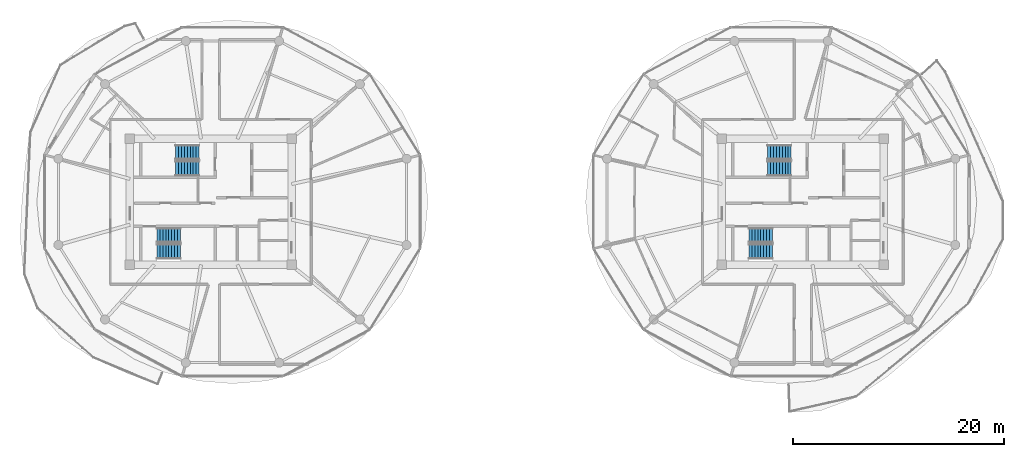
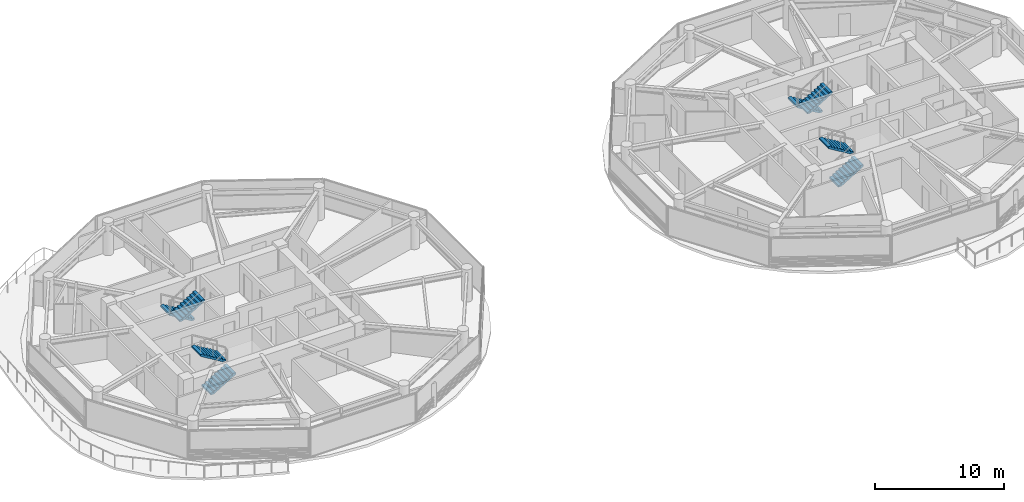
# One storey, part 18 of 22: 8 stair flights, 4 elements without a shape of their own.
"""IFC4 building model written with IfcOpenShell, lengths in metres."""

from ifc_helpers import new_model, si_unit, direction, frame, origin, place, context, subcontext, project, spatial, polyline, outline, extrude, material, type_object, element, aggregate, save


model = new_model("IFC4")

# Units and contexts
model_context = context("Model", 3, precision=1e-05, world=origin(), true_north=direction((0.0, 1.0)))
body_context = subcontext(model_context, "Body", "Model", "MODEL_VIEW")
ifc_project = project(units=[si_unit("LENGTHUNIT", "METRE"), si_unit("AREAUNIT", "SQUARE_METRE"), si_unit("VOLUMEUNIT", "CUBIC_METRE"), si_unit("PLANEANGLEUNIT", "RADIAN"), si_unit("MASSUNIT", "GRAM", prefix="KILO")], contexts=[model_context])

# Site, building, storey
site_placement = place(None, origin())
site = spatial("IfcSite", under=ifc_project, at=site_placement, CompositionType="ELEMENT")
building_placement = place(site_placement, origin())
building = spatial("IfcBuilding", under=site, at=building_placement, Name="Norrkilde Senior Care Towers", CompositionType="ELEMENT")
storey_placement = place(building_placement, frame((0.0, 0.0, 96.25)))
storey = spatial("IfcBuildingStorey", under=building, at=storey_placement, Name="L29", CompositionType="ELEMENT", Elevation=96.25)

# Stair, stair flights
ifc_material = material(Name="Concrete C45/55", Category="concrete")
stair_type = type_object("IfcStairType", Name="Core Protected Dogleg Stair Typical 3050", PredefinedType="HALF_TURN_STAIR", material=ifc_material)
stair_1_placement = place(storey_placement, origin())
stair_1 = element("IfcStair", 1, at=stair_1_placement, inside=storey, type_object=stair_type, Name="L29 Protected Core Stair W1", PredefinedType="HALF_TURN_STAIR")
stair_flight_type = type_object("IfcStairFlightType", Name="Core Protected Dogleg Stair Typical 3050 Flight", PredefinedType="STRAIGHT", material=ifc_material)
stair_flight_1_placement = place(storey_placement, frame((-29.10009765625, 4.699951171875, 0.0), z_axis=(0.0, 0.0, 1.0), x_axis=(-1.0, 0.0, 0.0)))
stair_flight_1 = element("IfcStairFlight", 2, at=stair_flight_1_placement, type_object=stair_flight_type, Name="ST-W1 flight 1", NumberOfRisers=9, NumberOfTreads=8, PredefinedType="STRAIGHT", RiserHeight=0.169444444, TreadLength=0.28, context=body_context, shape_type="SweptSolid", body=[
    extrude(outline(polyline([(0.0, 0.0), (0.0, 0.16943359375), (0.280029296875, 0.16943359375), (0.280029296875, 0.3388671875), (0.56005859375, 0.3388671875), (0.56005859375, 0.50830078125), (0.840087890625, 0.50830078125), (0.840087890625, 0.677734375), (1.1201171875, 0.677734375), (1.1201171875, 0.84716796875), (1.39990234375, 0.84716796875), (1.39990234375, 1.0166015625), (1.679931640625, 1.0166015625), (1.679931640625, 1.18603515625), (1.9599609375, 1.18603515625), (1.9599609375, 1.35546875), (2.239990234375, 1.35546875), (2.239990234375, 1.52490234375), (2.239990234375, 1.180419921875), (0.28955078125, 0.0), (0.0, 0.0)])), frame((0.0, 0.699951171875, 0.0), z_axis=(0.0, -1.0, 0.0), x_axis=(1.0, 0.0, 0.0)), (0.0, 0.0, 1.0), 1.39990234375),
])
stair_flight_2_placement = place(storey_placement, frame((-31.340087890625, 3.14990234375, 1.52490234375), z_axis=(0.0, 0.0, 1.0), x_axis=(1.0, 0.0, 0.0)))
stair_flight_2 = element("IfcStairFlight", 3, at=stair_flight_2_placement, type_object=stair_flight_type, Name="ST-W1 flight 2", NumberOfRisers=9, NumberOfTreads=8, PredefinedType="STRAIGHT", RiserHeight=0.169444444, TreadLength=0.28, context=body_context, shape_type="SweptSolid", body=[
    extrude(outline(polyline([(0.0, 0.0), (0.0, 0.16943359375), (0.280029296875, 0.16943359375), (0.280029296875, 0.3388671875), (0.56005859375, 0.3388671875), (0.56005859375, 0.50830078125), (0.840087890625, 0.50830078125), (0.840087890625, 0.677734375), (1.1201171875, 0.677734375), (1.1201171875, 0.84716796875), (1.39990234375, 0.84716796875), (1.39990234375, 1.0166015625), (1.679931640625, 1.0166015625), (1.679931640625, 1.18603515625), (1.9599609375, 1.18603515625), (1.9599609375, 1.35546875), (2.239990234375, 1.35546875), (2.239990234375, 1.52490234375), (2.239990234375, 1.180419921875), (0.28955078125, 0.0), (0.0, 0.0)])), frame((0.0, 0.699951171875, 0.0), z_axis=(0.0, -1.0, 0.0), x_axis=(1.0, 0.0, 0.0)), (0.0, 0.0, 1.0), 1.39990234375),
])
aggregate(stair_1, [stair_flight_1, stair_flight_2])

stair_2_placement = place(storey_placement, origin())
stair_2 = element("IfcStair", 4, at=stair_2_placement, inside=storey, type_object=stair_type, Name="L29 Protected Core Stair W2", PredefinedType="HALF_TURN_STAIR")
stair_flight_3_placement = place(storey_placement, frame((-33.10009765625, -4.699951171875, 0.0), z_axis=(0.0, 0.0, 1.0), x_axis=(1.0, 0.0, 0.0)))
stair_flight_3 = element("IfcStairFlight", 5, at=stair_flight_3_placement, type_object=stair_flight_type, Name="ST-W2 flight 1", NumberOfRisers=9, NumberOfTreads=8, PredefinedType="STRAIGHT", RiserHeight=0.169444444, TreadLength=0.28, context=body_context, shape_type="SweptSolid", body=[
    extrude(outline(polyline([(0.0, 0.0), (0.0, 0.16943359375), (0.280029296875, 0.16943359375), (0.280029296875, 0.3388671875), (0.56005859375, 0.3388671875), (0.56005859375, 0.50830078125), (0.840087890625, 0.50830078125), (0.840087890625, 0.677734375), (1.1201171875, 0.677734375), (1.1201171875, 0.84716796875), (1.39990234375, 0.84716796875), (1.39990234375, 1.0166015625), (1.679931640625, 1.0166015625), (1.679931640625, 1.18603515625), (1.9599609375, 1.18603515625), (1.9599609375, 1.35546875), (2.239990234375, 1.35546875), (2.239990234375, 1.52490234375), (2.239990234375, 1.180419921875), (0.28955078125, 0.0), (0.0, 0.0)])), frame((0.0, 0.699951171875, 0.0), z_axis=(0.0, -1.0, 0.0), x_axis=(1.0, 0.0, 0.0)), (0.0, 0.0, 1.0), 1.39990234375),
])
stair_flight_4_placement = place(storey_placement, frame((-30.860107421875, -3.14990234375, 1.52490234375), z_axis=(0.0, 0.0, 1.0), x_axis=(-1.0, 0.0, 0.0)))
stair_flight_4 = element("IfcStairFlight", 6, at=stair_flight_4_placement, type_object=stair_flight_type, Name="ST-W2 flight 2", NumberOfRisers=9, NumberOfTreads=8, PredefinedType="STRAIGHT", RiserHeight=0.169444444, TreadLength=0.28, context=body_context, shape_type="SweptSolid", body=[
    extrude(outline(polyline([(0.0, 0.0), (0.0, 0.16943359375), (0.280029296875, 0.16943359375), (0.280029296875, 0.3388671875), (0.56005859375, 0.3388671875), (0.56005859375, 0.50830078125), (0.840087890625, 0.50830078125), (0.840087890625, 0.677734375), (1.1201171875, 0.677734375), (1.1201171875, 0.84716796875), (1.39990234375, 0.84716796875), (1.39990234375, 1.0166015625), (1.679931640625, 1.0166015625), (1.679931640625, 1.18603515625), (1.9599609375, 1.18603515625), (1.9599609375, 1.35546875), (2.239990234375, 1.35546875), (2.239990234375, 1.52490234375), (2.239990234375, 1.180419921875), (0.28955078125, 0.0), (0.0, 0.0)])), frame((0.0, 0.699951171875, 0.0), z_axis=(0.0, -1.0, 0.0), x_axis=(1.0, 0.0, 0.0)), (0.0, 0.0, 1.0), 1.39990234375),
])
aggregate(stair_2, [stair_flight_3, stair_flight_4])

stair_3_placement = place(storey_placement, origin())
stair_3 = element("IfcStair", 7, at=stair_3_placement, inside=storey, type_object=stair_type, Name="L29 Protected Core Stair E1", PredefinedType="HALF_TURN_STAIR")
stair_flight_5_placement = place(storey_placement, frame((26.89990234375, 4.699951171875, 0.0), z_axis=(0.0, 0.0, 1.0), x_axis=(-1.0, 0.0, 0.0)))
stair_flight_5 = element("IfcStairFlight", 8, at=stair_flight_5_placement, type_object=stair_flight_type, Name="ST-E1 flight 1", NumberOfRisers=9, NumberOfTreads=8, PredefinedType="STRAIGHT", RiserHeight=0.169444444, TreadLength=0.28, context=body_context, shape_type="SweptSolid", body=[
    extrude(outline(polyline([(0.0, 0.0), (0.0, 0.16943359375), (0.280029296875, 0.16943359375), (0.280029296875, 0.3388671875), (0.56005859375, 0.3388671875), (0.56005859375, 0.50830078125), (0.840087890625, 0.50830078125), (0.840087890625, 0.677734375), (1.1201171875, 0.677734375), (1.1201171875, 0.84716796875), (1.39990234375, 0.84716796875), (1.39990234375, 1.0166015625), (1.679931640625, 1.0166015625), (1.679931640625, 1.18603515625), (1.9599609375, 1.18603515625), (1.9599609375, 1.35546875), (2.239990234375, 1.35546875), (2.239990234375, 1.52490234375), (2.239990234375, 1.180419921875), (0.28955078125, 0.0), (0.0, 0.0)])), frame((0.0, 0.699951171875, 0.0), z_axis=(0.0, -1.0, 0.0), x_axis=(1.0, 0.0, 0.0)), (0.0, 0.0, 1.0), 1.39990234375),
])
stair_flight_6_placement = place(storey_placement, frame((24.659912109375, 3.14990234375, 1.52490234375), z_axis=(0.0, 0.0, 1.0), x_axis=(1.0, 0.0, 0.0)))
stair_flight_6 = element("IfcStairFlight", 9, at=stair_flight_6_placement, type_object=stair_flight_type, Name="ST-E1 flight 2", NumberOfRisers=9, NumberOfTreads=8, PredefinedType="STRAIGHT", RiserHeight=0.169444444, TreadLength=0.28, context=body_context, shape_type="SweptSolid", body=[
    extrude(outline(polyline([(0.0, 0.0), (0.0, 0.16943359375), (0.280029296875, 0.16943359375), (0.280029296875, 0.3388671875), (0.56005859375, 0.3388671875), (0.56005859375, 0.50830078125), (0.840087890625, 0.50830078125), (0.840087890625, 0.677734375), (1.1201171875, 0.677734375), (1.1201171875, 0.84716796875), (1.39990234375, 0.84716796875), (1.39990234375, 1.0166015625), (1.679931640625, 1.0166015625), (1.679931640625, 1.18603515625), (1.9599609375, 1.18603515625), (1.9599609375, 1.35546875), (2.239990234375, 1.35546875), (2.239990234375, 1.52490234375), (2.239990234375, 1.180419921875), (0.28955078125, 0.0), (0.0, 0.0)])), frame((0.0, 0.699951171875, 0.0), z_axis=(0.0, -1.0, 0.0), x_axis=(1.0, 0.0, 0.0)), (0.0, 0.0, 1.0), 1.39990234375),
])
aggregate(stair_3, [stair_flight_5, stair_flight_6])

stair_4_placement = place(storey_placement, origin())
stair_4 = element("IfcStair", 10, at=stair_4_placement, inside=storey, type_object=stair_type, Name="L29 Protected Core Stair E2", PredefinedType="HALF_TURN_STAIR")
stair_flight_7_placement = place(storey_placement, frame((22.89990234375, -4.699951171875, 0.0), z_axis=(0.0, 0.0, 1.0), x_axis=(1.0, 0.0, 0.0)))
stair_flight_7 = element("IfcStairFlight", 11, at=stair_flight_7_placement, type_object=stair_flight_type, Name="ST-E2 flight 1", NumberOfRisers=9, NumberOfTreads=8, PredefinedType="STRAIGHT", RiserHeight=0.169444444, TreadLength=0.28, context=body_context, shape_type="SweptSolid", body=[
    extrude(outline(polyline([(0.0, 0.0), (0.0, 0.16943359375), (0.280029296875, 0.16943359375), (0.280029296875, 0.3388671875), (0.56005859375, 0.3388671875), (0.56005859375, 0.50830078125), (0.840087890625, 0.50830078125), (0.840087890625, 0.677734375), (1.1201171875, 0.677734375), (1.1201171875, 0.84716796875), (1.39990234375, 0.84716796875), (1.39990234375, 1.0166015625), (1.679931640625, 1.0166015625), (1.679931640625, 1.18603515625), (1.9599609375, 1.18603515625), (1.9599609375, 1.35546875), (2.239990234375, 1.35546875), (2.239990234375, 1.52490234375), (2.239990234375, 1.180419921875), (0.28955078125, 0.0), (0.0, 0.0)])), frame((0.0, 0.699951171875, 0.0), z_axis=(0.0, -1.0, 0.0), x_axis=(1.0, 0.0, 0.0)), (0.0, 0.0, 1.0), 1.39990234375),
])
stair_flight_8_placement = place(storey_placement, frame((25.139892578125, -3.14990234375, 1.52490234375), z_axis=(0.0, 0.0, 1.0), x_axis=(-1.0, 0.0, 0.0)))
stair_flight_8 = element("IfcStairFlight", 12, at=stair_flight_8_placement, type_object=stair_flight_type, Name="ST-E2 flight 2", NumberOfRisers=9, NumberOfTreads=8, PredefinedType="STRAIGHT", RiserHeight=0.169444444, TreadLength=0.28, context=body_context, shape_type="SweptSolid", body=[
    extrude(outline(polyline([(0.0, 0.0), (0.0, 0.16943359375), (0.280029296875, 0.16943359375), (0.280029296875, 0.3388671875), (0.56005859375, 0.3388671875), (0.56005859375, 0.50830078125), (0.840087890625, 0.50830078125), (0.840087890625, 0.677734375), (1.1201171875, 0.677734375), (1.1201171875, 0.84716796875), (1.39990234375, 0.84716796875), (1.39990234375, 1.0166015625), (1.679931640625, 1.0166015625), (1.679931640625, 1.18603515625), (1.9599609375, 1.18603515625), (1.9599609375, 1.35546875), (2.239990234375, 1.35546875), (2.239990234375, 1.52490234375), (2.239990234375, 1.180419921875), (0.28955078125, 0.0), (0.0, 0.0)])), frame((0.0, 0.699951171875, 0.0), z_axis=(0.0, -1.0, 0.0), x_axis=(1.0, 0.0, 0.0)), (0.0, 0.0, 1.0), 1.39990234375),
])
aggregate(stair_4, [stair_flight_7, stair_flight_8])

save(model, "model.ifc")
